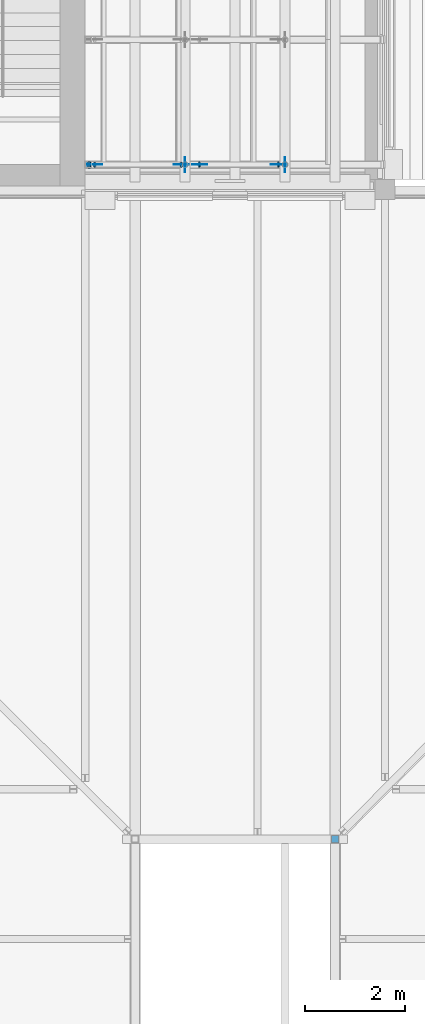
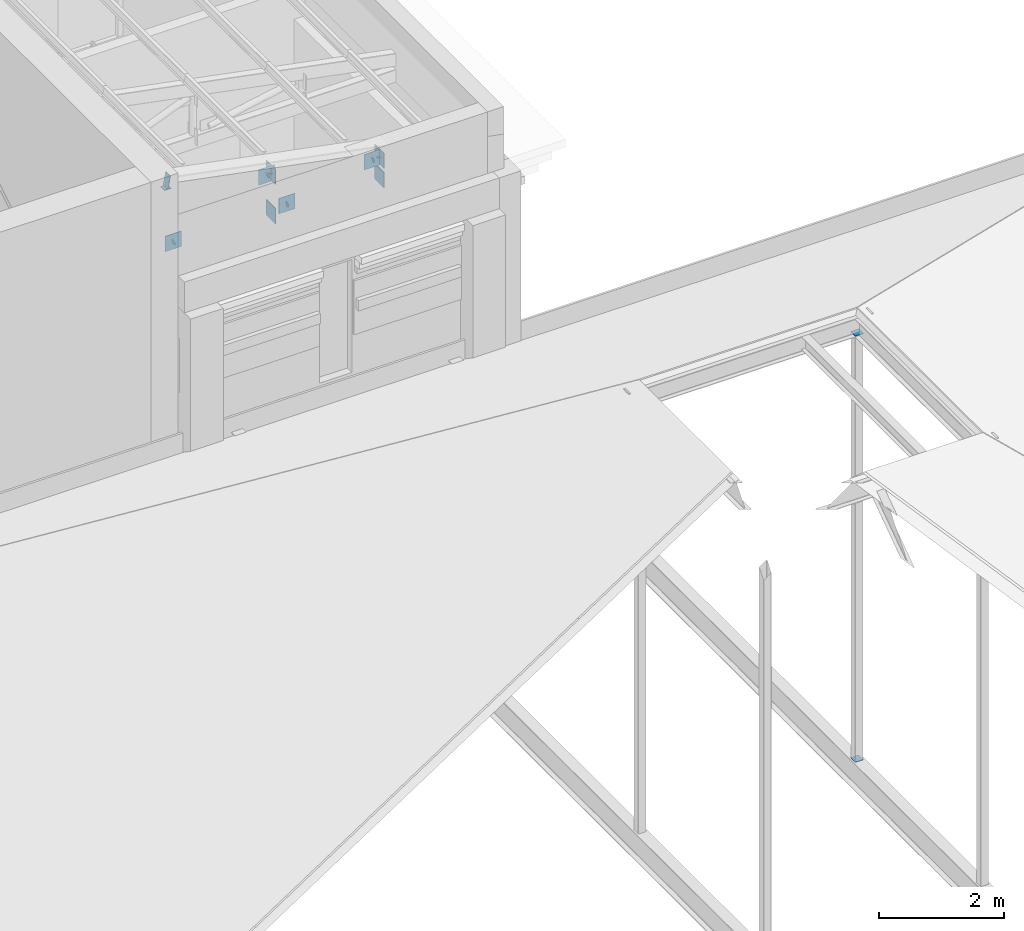
# One storey, part 91 of 118: 18 discrete accessories.
"""IFC4 building model written with IfcOpenShell, lengths in metres."""

import ifcopenshell
import ifcopenshell.guid

model = None  # the IFC model being written
_history = None  # IfcOwnerHistory: only IFC2X3 demands one
_inside = {}  # id of a spatial element -> (the spatial element, [elements in it])
_under = {}  # id of a project, library or spatial element -> (it, [spatial elements below it])
_declared = {}  # id of a project -> (the project, [libraries it declares])
_typed = {}  # id of a type object -> (the type object, [elements of that type])
_made_of = {}  # id of a material, layer set ... -> (it, [elements and type objects made of it])


def new_model(schema):
    """Start an empty IFC model of exactly this schema.

    Asked for "IFC4X3", IfcOpenShell would pick the latest addendum, in which some entities
    have other attributes; the version numbers below select the first issue.
    IFC2X3 requires an IfcOwnerHistory on every rooted entity: one is made here for all.
    """
    global model, _history
    if schema == "IFC4X3":
        model = ifcopenshell.file(schema_version=(4, 3, 0, 0))
    else:
        model = ifcopenshell.file(schema=schema)
    _inside.clear()
    _under.clear()
    _declared.clear()
    _typed.clear()
    _made_of.clear()
    _history = None
    if model.schema == "IFC2X3":
        org = make("IfcOrganization", Name="unknown")
        user = make(
            "IfcPersonAndOrganization",
            ThePerson=make("IfcPerson", FamilyName="unknown"),
            TheOrganization=org,
        )
        app = make(
            "IfcApplication",
            ApplicationDeveloper=org,
            Version="unknown",
            ApplicationFullName="unknown",
            ApplicationIdentifier="unknown",
        )
        _history = make(
            "IfcOwnerHistory",
            OwningUser=user,
            OwningApplication=app,
            ChangeAction="ADDED",
            CreationDate=0,
        )
    return model


def make(cls, **values):
    """One entity of the class cls with the attributes given. An attribute that is None is left unset."""
    return model.create_entity(
        cls, **{name: value for name, value in values.items() if value is not None}
    )


def rooted(cls, **values):
    """An entity with a GlobalId (a new one), such as an element, a storey or a relation."""
    return make(cls, GlobalId=ifcopenshell.guid.new(), OwnerHistory=_history, **values)


def si_unit(unit_type, name, prefix=None):
    """IfcSIUnit, for example si_unit("LENGTHUNIT", "METRE", prefix="MILLI")."""
    return make("IfcSIUnit", UnitType=unit_type, Prefix=prefix, Name=name)


def assignment(units):
    """IfcUnitAssignment: the units of a project."""
    return None if units is None else make("IfcUnitAssignment", Units=units)


def point(xyz):
    """IfcCartesianPoint."""
    return None if xyz is None else make("IfcCartesianPoint", Coordinates=xyz)


def direction(xyz):
    """IfcDirection."""
    return None if xyz is None else make("IfcDirection", DirectionRatios=xyz)


def frame(location, z_axis=None, x_axis=None):
    """IfcAxis2Placement3D, a coordinate frame: its origin and axes. An axis left out is left unset."""
    return make(
        "IfcAxis2Placement3D",
        Location=point(location),
        Axis=direction(z_axis),
        RefDirection=direction(x_axis),
    )


def frame_2d(location, x_axis=None):
    """IfcAxis2Placement2D, a coordinate frame in the plane: its origin and x axis."""
    return make(
        "IfcAxis2Placement2D", Location=point(location), RefDirection=direction(x_axis)
    )


def origin():
    """The frame at (0, 0, 0) with its axes left unset."""
    return frame((0.0, 0.0, 0.0))


def origin_2d():
    """The frame at (0, 0) in the plane with its x axis left unset."""
    return frame_2d((0.0, 0.0))


def place(relative_to, where):
    """IfcLocalPlacement: puts the frame where relative to a parent placement (None: the world)."""
    return make(
        "IfcLocalPlacement", PlacementRelTo=relative_to, RelativePlacement=where
    )


def context(
    kind, dimensions, precision=None, world=None, true_north=None, identifier=None
):
    """IfcGeometricRepresentationContext, for example the 3D "Model" context."""
    return make(
        "IfcGeometricRepresentationContext",
        ContextIdentifier=identifier,
        ContextType=kind,
        CoordinateSpaceDimension=dimensions,
        Precision=precision,
        WorldCoordinateSystem=world,
        TrueNorth=true_north,
    )


def subcontext(parent, identifier, kind, view, scale=None):
    """IfcGeometricRepresentationSubContext, for example "Body" below "Model"."""
    return make(
        "IfcGeometricRepresentationSubContext",
        ContextIdentifier=identifier,
        ContextType=kind,
        ParentContext=parent,
        TargetScale=scale,
        TargetView=view,
    )


def project(units=None, contexts=None):
    """IfcProject with its units and contexts."""
    return rooted(
        "IfcProject",
        Name="project",
        RepresentationContexts=contexts,
        UnitsInContext=assignment(units),
    )


def spatial(cls, under=None, at=None, **own):
    """A site, building, storey or space (cls), placed at a placement, below another one or the project."""
    s = rooted(cls, ObjectPlacement=at, **own)
    if under is not None:
        _under.setdefault(under.id(), (under, []))[1].append(s)
    return s


def profile(cls, at=None, kind="AREA", **sizes):
    """A parametric profile (cls). Its sizes go by their IFC names, for example OverallWidth=200.0."""
    return make(cls, ProfileType=kind, Position=at, **sizes)


def rectangle(**sizes):
    """IfcRectangleProfileDef."""
    return profile("IfcRectangleProfileDef", **sizes)


def circle(**sizes):
    """IfcCircleProfileDef."""
    return profile("IfcCircleProfileDef", **sizes)


def extrude(swept, where, along, depth):
    """IfcExtrudedAreaSolid: the profile swept, set in the frame where, extruded along a direction by depth."""
    return make(
        "IfcExtrudedAreaSolid",
        SweptArea=swept,
        Position=where,
        ExtrudedDirection=direction(along),
        Depth=depth,
    )


def shape(context_of_items, identifier, shape_type, items):
    """IfcShapeRepresentation: the items that make up one representation, for example the "Body"."""
    return make(
        "IfcShapeRepresentation",
        ContextOfItems=context_of_items,
        RepresentationIdentifier=identifier,
        RepresentationType=shape_type,
        Items=items,
    )


def material(Name=None, Category=None):
    """IfcMaterial."""
    return make("IfcMaterial", Name=Name, Category=Category)


def material_profile(
    of_material, cross_section, Name=None, Category=None, Priority=None
):
    """IfcMaterialProfile: a cross section and its material."""
    return make(
        "IfcMaterialProfile",
        Name=Name,
        Material=of_material,
        Profile=cross_section,
        Priority=Priority,
        Category=Category,
    )


def profile_set(profiles, Name=None, composite=None):
    """IfcMaterialProfileSet."""
    return make(
        "IfcMaterialProfileSet",
        Name=Name,
        MaterialProfiles=profiles,
        CompositeProfile=composite,
    )


def made_of(thing, what):
    """Note that an element or type object is made of a material, layer set ...; save() writes the relation."""
    if what is not None:
        _made_of.setdefault(what.id(), (what, []))[1].append(thing)
    return thing


def type_object(cls, material=None, **own):
    """A type object (cls), such as IfcWallType, which elements share."""
    return made_of(rooted(cls, **own), material)


def element(
    cls,
    number,
    at=None,
    inside=None,
    cuts=None,
    type_object=None,
    material=None,
    context=None,
    identifier="Body",
    shape_type=None,
    held_by="IfcProductDefinitionShape",
    body=None,
    shapes=None,
    **own,
):
    """One element of the class cls, such as IfcWall. Its Tag is "e" and its number.

    at: its placement. inside: the storey or other place that contains it. cuts: it is an
    opening in that element (IfcRelVoidsElement). A single representation is given by context,
    identifier, shape_type and body (its items); several are given by shapes. held_by: the class
    of the entity that holds the representations. save() writes the other relations.
    """
    e = rooted(cls, Tag="e%d" % number, ObjectPlacement=at, **own)
    if body is not None:
        shapes = [shape(context, identifier, shape_type, body)]
    if shapes is not None:
        e.Representation = make(held_by, Representations=shapes)
    if inside is not None:
        _inside.setdefault(inside.id(), (inside, []))[1].append(e)
    if cuts is not None:
        rooted(
            "IfcRelVoidsElement", RelatingBuildingElement=cuts, RelatedOpeningElement=e
        )
    if type_object is not None:
        _typed.setdefault(type_object.id(), (type_object, []))[1].append(e)
    return made_of(e, material)


def aggregate(whole, parts):
    """IfcRelAggregates: a whole, such as a stair, and the parts it consists of."""
    return rooted("IfcRelAggregates", RelatingObject=whole, RelatedObjects=parts)


def save(model, path):
    """Write the relations noted so far, then the file.

    IfcRelAggregates (storeys below a building ...), IfcRelContainedInSpatialStructure (elements
    in a storey), IfcRelDefinesByType, IfcRelAssociatesMaterial and IfcRelDeclares: one each for
    every whole, place, type object, material and project.
    """
    for whole, parts in _under.values():
        aggregate(whole, parts)
    for where, things in _inside.values():
        rooted(
            "IfcRelContainedInSpatialStructure",
            RelatedElements=things,
            RelatingStructure=where,
        )
    for kind, things in _typed.values():
        rooted("IfcRelDefinesByType", RelatedObjects=things, RelatingType=kind)
    for what, things in _made_of.values():
        rooted("IfcRelAssociatesMaterial", RelatedObjects=things, RelatingMaterial=what)
    for by, libraries in _declared.values():
        rooted("IfcRelDeclares", RelatingContext=by, RelatedDefinitions=libraries)
    model.write(path)


model = new_model("IFC4")

# Units and contexts
model_context = context("Model", 3, precision=1e-05, world=origin(), true_north=direction((0.0, 1.0)))
body_context = subcontext(model_context, "Body", "Model", "MODEL_VIEW")
ifc_project = project(units=[si_unit("LENGTHUNIT", "METRE"), si_unit("AREAUNIT", "SQUARE_METRE"), si_unit("VOLUMEUNIT", "CUBIC_METRE"), si_unit("PLANEANGLEUNIT", "RADIAN"), si_unit("MASSUNIT", "GRAM", prefix="KILO")], contexts=[model_context])

# Site, building, storey
site_placement = place(None, origin())
site = spatial("IfcSite", under=ifc_project, at=site_placement, CompositionType="ELEMENT")
building_placement = place(site_placement, origin())
building = spatial("IfcBuilding", under=site, at=building_placement, Name="Saffron Lane Theatres", CompositionType="ELEMENT")
storey_placement = place(building_placement, frame((0.0, 0.0, 16.5)))
storey = spatial("IfcBuildingStorey", under=building, at=storey_placement, Name="L03", CompositionType="ELEMENT", Elevation=16.5)

# Discrete accessories
ifc_material_1 = material(Name="Steel Grade 350", Category="steel")
ifc_material_profile_1 = material_profile(ifc_material_1, rectangle(XDim=0.300048828125, YDim=0.300048828125, at=origin_2d()))
ifc_profile_set_1 = profile_set([ifc_material_profile_1], Name="Steel Grade 350")
discrete_accessory_type_1 = type_object("IfcDiscreteAccessoryType", Name="ST-GUSSET CONNECTION PLATE", PredefinedType="BRACKET", material=ifc_profile_set_1)
for number, where, z_axis, x_axis, name in (
    (1, (51.9951171875, 30.5, 4.75), (1.0, 0.0, 0.0), (0.0, 1.0, 0.0), "GB377"),
    (2, (51.9951171875, 30.5, 5.127197265625), (1.0, 0.0, 0.0), (0.0, 1.0, 0.0), "GB378"),
    (3, (49.9951171875, 30.5, 4.75), (1.0, 0.0, 0.0), (0.0, 1.0, 0.0), "GB379"),
    (4, (49.9951171875, 30.5, 5.515625), (1.0, 0.0, 0.0), (0.0, 1.0, 0.0), "GB380"),
    (5, (48.19482421875, 30.4951171875, 4.802978515625), (0.0, 1.0, 0.0), (-1.0, 0.0, 0.0), "GB381"),
    (6, (49.917724609375, 30.4951171875, 5.493896484375), (0.0, 1.0, 0.0), (-1.0, 0.0, 0.0), "GB382"),
    (7, (50.288818359375, 30.4951171875, 4.80615234375), (0.0, 1.0, 0.0), (-1.0, 0.0, 0.0), "GB383"),
    (8, (51.861083984375, 30.4951171875, 5.111328125), (0.0, 1.0, 0.0), (-1.0, 0.0, 0.0), "GB384"),
):
    element("IfcDiscreteAccessory", number, at=place(storey_placement, frame(where, z_axis=z_axis, x_axis=x_axis)), inside=storey, type_object=discrete_accessory_type_1, Name=name, PredefinedType="BRACKET", context=body_context, shape_type="SweptSolid", body=[
        extrude(rectangle(XDim=0.300048828125, YDim=0.300048828125, at=origin_2d()), origin(), (0.0, 0.0, 1.0), 0.009765625),
    ])
ifc_material_2 = material(Name="Steel Grade 350", Category="steel")
ifc_material_profile_2 = material_profile(ifc_material_2, circle(Radius=0.05712890625, at=origin_2d()))
ifc_profile_set_2 = profile_set([ifc_material_profile_2], Name="Steel Grade 350")
discrete_accessory_type_2 = type_object("IfcDiscreteAccessoryType", Name="ST-STEEL END CAP 114.3x6.0 CHS", PredefinedType="ANCHORPLATE", material=ifc_profile_set_2)
discrete_accessory_1_placement = place(storey_placement, frame((52.0, 30.5, 5.127197265625), z_axis=(0.0, 0.0, 1.0), x_axis=(1.0, 0.0, 0.0)))
element("IfcDiscreteAccessory", 9, at=discrete_accessory_1_placement, inside=storey, type_object=discrete_accessory_type_2, Name="EC522", PredefinedType="ANCHORPLATE", context=body_context, shape_type="SweptSolid", body=[
    extrude(circle(Radius=0.05712890625, at=origin_2d()), origin(), (0.0, 0.0, 1.0), 0.01220703125),
])
for number, where, z_axis, x_axis, name in (
    (10, (50.0, 30.5, 5.515625), (0.0, 0.0, 1.0), (1.0, 0.0, 0.0), "EC523"),
    (11, (48.18359375, 30.5, 4.798583984375), (0.931242779706, 0.0, 0.364399348581), (0.0, 1.0, 0.0), "EC524"),
    (12, (49.917724609375, 30.5, 5.493896484375), (0.931242779706, 0.0, 0.364399348581), (0.0, 1.0, 0.0), "EC525"),
    (13, (50.277099609375, 30.5, 4.8037109375), (0.978980419738, 0.0, 0.203954254112), (0.0, 1.0, 0.0), "EC526"),
    (14, (51.861083984375, 30.5, 5.111328125), (0.978980419738, 0.0, 0.203954254112), (0.0, 1.0, 0.0), "EC527"),
):
    element("IfcDiscreteAccessory", number, at=place(storey_placement, frame(where, z_axis=z_axis, x_axis=x_axis)), inside=storey, type_object=discrete_accessory_type_2, Name=name, PredefinedType="ANCHORPLATE", context=body_context, shape_type="SweptSolid", body=[
        extrude(circle(Radius=0.05712890625, at=origin_2d()), origin(), (0.0, 0.0, 1.0), 0.011962890625),
    ])
ifc_material_3 = material(Name="Steel Grade 350", Category="steel")
ifc_material_profile_3 = material_profile(ifc_material_3, rectangle(XDim=0.125, YDim=0.125, at=origin_2d()))
ifc_profile_set_3 = profile_set([ifc_material_profile_3], Name="Steel Grade 350")
discrete_accessory_type_3 = type_object("IfcDiscreteAccessoryType", Name="ST-STEEL END CAP 125x125x6 SHS", PredefinedType="ANCHORPLATE", material=ifc_profile_set_3)
discrete_accessory_2_placement = place(storey_placement, frame((48.0625, 30.5, 5.890869140625), z_axis=(0.0, 0.0, 1.0), x_axis=(1.0, 0.0, 0.0)))
element("IfcDiscreteAccessory", 15, at=discrete_accessory_2_placement, inside=storey, type_object=discrete_accessory_type_3, Name="EC521", PredefinedType="ANCHORPLATE", context=body_context, shape_type="SweptSolid", body=[
    extrude(rectangle(XDim=0.125, YDim=0.125, at=origin_2d()), origin(), (0.0, 0.0, 1.0), 0.011962890625),
])
ifc_material_4 = material(Name="Steel Grade 350", Category="steel")
ifc_material_profile_4 = material_profile(ifc_material_4, rectangle(XDim=0.14990234375, YDim=0.14990234375, at=origin_2d()))
ifc_profile_set_4 = profile_set([ifc_material_profile_4], Name="Steel Grade 350")
discrete_accessory_type_4 = type_object("IfcDiscreteAccessoryType", Name="ST-STEEL END CAP 150x150x9 SHS", PredefinedType="ANCHORPLATE", material=ifc_profile_set_4)
for number, where, z_axis, x_axis, name in (
    (16, (53.0, 17.0, 1.220947265625), (0.0, 0.0, 1.0), (1.0, 0.0, 0.0), "EC613"),
    (17, (53.0, 17.0, 9.52099609375), (0.0, 0.0, 1.0), (1.0, 0.0, 0.0), "EC614"),
):
    element("IfcDiscreteAccessory", number, at=place(storey_placement, frame(where, z_axis=z_axis, x_axis=x_axis)), inside=storey, type_object=discrete_accessory_type_4, Name=name, PredefinedType="ANCHORPLATE", context=body_context, shape_type="SweptSolid", body=[
        extrude(rectangle(XDim=0.14990234375, YDim=0.14990234375, at=origin_2d()), origin(), (0.0, 0.0, 1.0), 0.011962890625),
    ])
ifc_material_5 = material(Name="Steel Grade 350", Category="steel")
ifc_material_profile_5 = material_profile(ifc_material_5, rectangle(XDim=0.14990234375, YDim=0.25, at=origin_2d()))
ifc_profile_set_5 = profile_set([ifc_material_profile_5], Name="Steel Grade 350")
discrete_accessory_type_5 = type_object("IfcDiscreteAccessoryType", Name="ST-STEEL END CAP 250x150x9 RHS", PredefinedType="ANCHORPLATE", material=ifc_profile_set_5)
discrete_accessory_3_placement = place(storey_placement, frame((48.08642578125, 30.5, 6.02587890625), z_axis=(-0.983547166232, 0.0, 0.180651520328), x_axis=(0.0, -1.0, 0.0)))
element("IfcDiscreteAccessory", 18, at=discrete_accessory_3_placement, inside=storey, type_object=discrete_accessory_type_5, Name="EC520", PredefinedType="ANCHORPLATE", context=body_context, shape_type="SweptSolid", body=[
    extrude(rectangle(XDim=0.14990234375, YDim=0.25, at=origin_2d()), origin(), (0.0, 0.0, 1.0), 0.01220703125),
])

save(model, "model.ifc")
